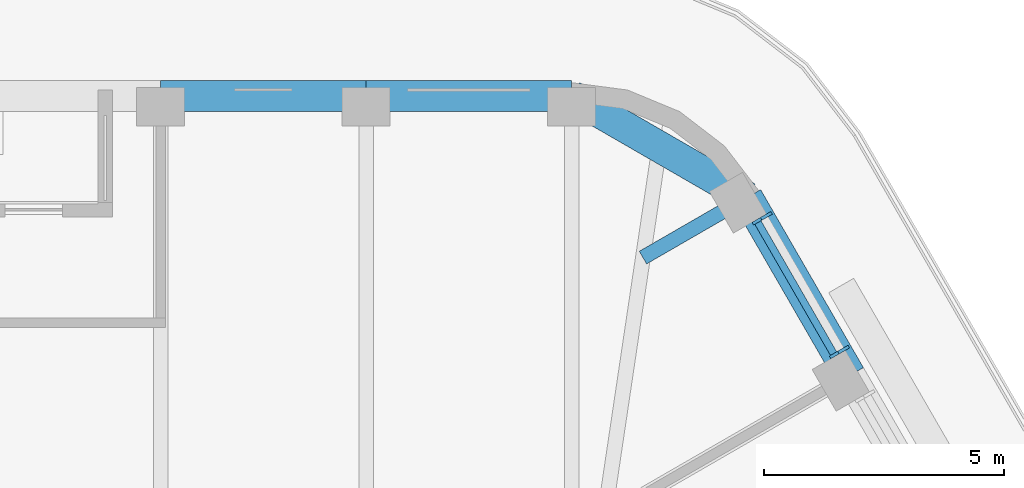
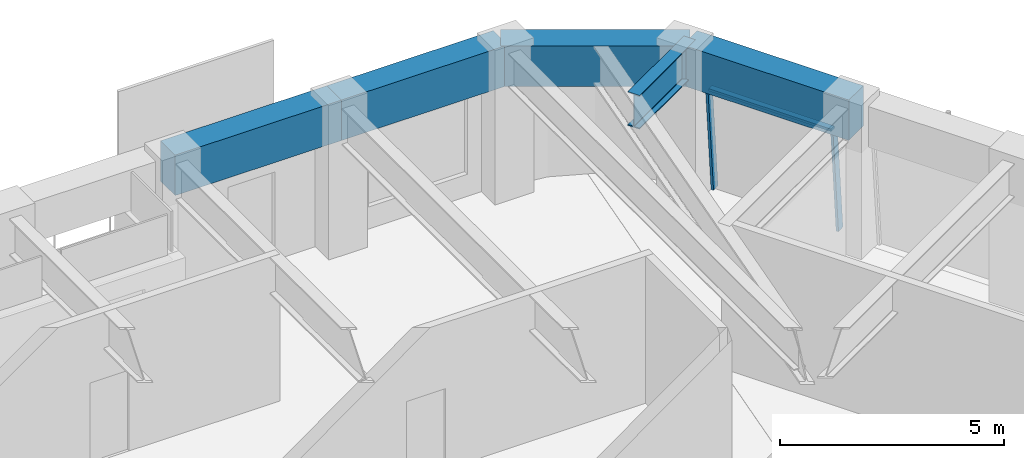
# One storey, part 11 of 19: 5 beams, 3 members, 1 element without a shape of its own.
"""IFC4 building model written with IfcOpenShell, lengths in metres."""

import ifcopenshell
import ifcopenshell.guid

model = None  # the IFC model being written
_history = None  # IfcOwnerHistory: only IFC2X3 demands one
_inside = {}  # id of a spatial element -> (the spatial element, [elements in it])
_under = {}  # id of a project, library or spatial element -> (it, [spatial elements below it])
_declared = {}  # id of a project -> (the project, [libraries it declares])
_typed = {}  # id of a type object -> (the type object, [elements of that type])
_made_of = {}  # id of a material, layer set ... -> (it, [elements and type objects made of it])


def new_model(schema):
    """Start an empty IFC model of exactly this schema.

    Asked for "IFC4X3", IfcOpenShell would pick the latest addendum, in which some entities
    have other attributes; the version numbers below select the first issue.
    IFC2X3 requires an IfcOwnerHistory on every rooted entity: one is made here for all.
    """
    global model, _history
    if schema == "IFC4X3":
        model = ifcopenshell.file(schema_version=(4, 3, 0, 0))
    else:
        model = ifcopenshell.file(schema=schema)
    _inside.clear()
    _under.clear()
    _declared.clear()
    _typed.clear()
    _made_of.clear()
    _history = None
    if model.schema == "IFC2X3":
        org = make("IfcOrganization", Name="unknown")
        user = make(
            "IfcPersonAndOrganization",
            ThePerson=make("IfcPerson", FamilyName="unknown"),
            TheOrganization=org,
        )
        app = make(
            "IfcApplication",
            ApplicationDeveloper=org,
            Version="unknown",
            ApplicationFullName="unknown",
            ApplicationIdentifier="unknown",
        )
        _history = make(
            "IfcOwnerHistory",
            OwningUser=user,
            OwningApplication=app,
            ChangeAction="ADDED",
            CreationDate=0,
        )
    return model


def make(cls, **values):
    """One entity of the class cls with the attributes given. An attribute that is None is left unset."""
    return model.create_entity(
        cls, **{name: value for name, value in values.items() if value is not None}
    )


def rooted(cls, **values):
    """An entity with a GlobalId (a new one), such as an element, a storey or a relation."""
    return make(cls, GlobalId=ifcopenshell.guid.new(), OwnerHistory=_history, **values)


def si_unit(unit_type, name, prefix=None):
    """IfcSIUnit, for example si_unit("LENGTHUNIT", "METRE", prefix="MILLI")."""
    return make("IfcSIUnit", UnitType=unit_type, Prefix=prefix, Name=name)


def assignment(units):
    """IfcUnitAssignment: the units of a project."""
    return None if units is None else make("IfcUnitAssignment", Units=units)


def point(xyz):
    """IfcCartesianPoint."""
    return None if xyz is None else make("IfcCartesianPoint", Coordinates=xyz)


def direction(xyz):
    """IfcDirection."""
    return None if xyz is None else make("IfcDirection", DirectionRatios=xyz)


def frame(location, z_axis=None, x_axis=None):
    """IfcAxis2Placement3D, a coordinate frame: its origin and axes. An axis left out is left unset."""
    return make(
        "IfcAxis2Placement3D",
        Location=point(location),
        Axis=direction(z_axis),
        RefDirection=direction(x_axis),
    )


def frame_2d(location, x_axis=None):
    """IfcAxis2Placement2D, a coordinate frame in the plane: its origin and x axis."""
    return make(
        "IfcAxis2Placement2D", Location=point(location), RefDirection=direction(x_axis)
    )


def origin():
    """The frame at (0, 0, 0) with its axes left unset."""
    return frame((0.0, 0.0, 0.0))


def origin_2d():
    """The frame at (0, 0) in the plane with its x axis left unset."""
    return frame_2d((0.0, 0.0))


def place(relative_to, where):
    """IfcLocalPlacement: puts the frame where relative to a parent placement (None: the world)."""
    return make(
        "IfcLocalPlacement", PlacementRelTo=relative_to, RelativePlacement=where
    )


def context(
    kind, dimensions, precision=None, world=None, true_north=None, identifier=None
):
    """IfcGeometricRepresentationContext, for example the 3D "Model" context."""
    return make(
        "IfcGeometricRepresentationContext",
        ContextIdentifier=identifier,
        ContextType=kind,
        CoordinateSpaceDimension=dimensions,
        Precision=precision,
        WorldCoordinateSystem=world,
        TrueNorth=true_north,
    )


def subcontext(parent, identifier, kind, view, scale=None):
    """IfcGeometricRepresentationSubContext, for example "Body" below "Model"."""
    return make(
        "IfcGeometricRepresentationSubContext",
        ContextIdentifier=identifier,
        ContextType=kind,
        ParentContext=parent,
        TargetScale=scale,
        TargetView=view,
    )


def project(units=None, contexts=None):
    """IfcProject with its units and contexts."""
    return rooted(
        "IfcProject",
        Name="project",
        RepresentationContexts=contexts,
        UnitsInContext=assignment(units),
    )


def spatial(cls, under=None, at=None, **own):
    """A site, building, storey or space (cls), placed at a placement, below another one or the project."""
    s = rooted(cls, ObjectPlacement=at, **own)
    if under is not None:
        _under.setdefault(under.id(), (under, []))[1].append(s)
    return s


def profile(cls, at=None, kind="AREA", **sizes):
    """A parametric profile (cls). Its sizes go by their IFC names, for example OverallWidth=200.0."""
    return make(cls, ProfileType=kind, Position=at, **sizes)


def rectangle(**sizes):
    """IfcRectangleProfileDef."""
    return profile("IfcRectangleProfileDef", **sizes)


def i_section(**sizes):
    """IfcIShapeProfileDef."""
    return profile("IfcIShapeProfileDef", **sizes)


def extrude(swept, where, along, depth):
    """IfcExtrudedAreaSolid: the profile swept, set in the frame where, extruded along a direction by depth."""
    return make(
        "IfcExtrudedAreaSolid",
        SweptArea=swept,
        Position=where,
        ExtrudedDirection=direction(along),
        Depth=depth,
    )


def shape(context_of_items, identifier, shape_type, items):
    """IfcShapeRepresentation: the items that make up one representation, for example the "Body"."""
    return make(
        "IfcShapeRepresentation",
        ContextOfItems=context_of_items,
        RepresentationIdentifier=identifier,
        RepresentationType=shape_type,
        Items=items,
    )


def material(Name=None, Category=None):
    """IfcMaterial."""
    return make("IfcMaterial", Name=Name, Category=Category)


def material_profile(
    of_material, cross_section, Name=None, Category=None, Priority=None
):
    """IfcMaterialProfile: a cross section and its material."""
    return make(
        "IfcMaterialProfile",
        Name=Name,
        Material=of_material,
        Profile=cross_section,
        Priority=Priority,
        Category=Category,
    )


def profile_set(profiles, Name=None, composite=None):
    """IfcMaterialProfileSet."""
    return make(
        "IfcMaterialProfileSet",
        Name=Name,
        MaterialProfiles=profiles,
        CompositeProfile=composite,
    )


def made_of(thing, what):
    """Note that an element or type object is made of a material, layer set ...; save() writes the relation."""
    if what is not None:
        _made_of.setdefault(what.id(), (what, []))[1].append(thing)
    return thing


def type_object(cls, material=None, **own):
    """A type object (cls), such as IfcWallType, which elements share."""
    return made_of(rooted(cls, **own), material)


def element(
    cls,
    number,
    at=None,
    inside=None,
    cuts=None,
    type_object=None,
    material=None,
    context=None,
    identifier="Body",
    shape_type=None,
    held_by="IfcProductDefinitionShape",
    body=None,
    shapes=None,
    **own,
):
    """One element of the class cls, such as IfcWall. Its Tag is "e" and its number.

    at: its placement. inside: the storey or other place that contains it. cuts: it is an
    opening in that element (IfcRelVoidsElement). A single representation is given by context,
    identifier, shape_type and body (its items); several are given by shapes. held_by: the class
    of the entity that holds the representations. save() writes the other relations.
    """
    e = rooted(cls, Tag="e%d" % number, ObjectPlacement=at, **own)
    if body is not None:
        shapes = [shape(context, identifier, shape_type, body)]
    if shapes is not None:
        e.Representation = make(held_by, Representations=shapes)
    if inside is not None:
        _inside.setdefault(inside.id(), (inside, []))[1].append(e)
    if cuts is not None:
        rooted(
            "IfcRelVoidsElement", RelatingBuildingElement=cuts, RelatedOpeningElement=e
        )
    if type_object is not None:
        _typed.setdefault(type_object.id(), (type_object, []))[1].append(e)
    return made_of(e, material)


def aggregate(whole, parts):
    """IfcRelAggregates: a whole, such as a stair, and the parts it consists of."""
    return rooted("IfcRelAggregates", RelatingObject=whole, RelatedObjects=parts)


def save(model, path):
    """Write the relations noted so far, then the file.

    IfcRelAggregates (storeys below a building ...), IfcRelContainedInSpatialStructure (elements
    in a storey), IfcRelDefinesByType, IfcRelAssociatesMaterial and IfcRelDeclares: one each for
    every whole, place, type object, material and project.
    """
    for whole, parts in _under.values():
        aggregate(whole, parts)
    for where, things in _inside.values():
        rooted(
            "IfcRelContainedInSpatialStructure",
            RelatedElements=things,
            RelatingStructure=where,
        )
    for kind, things in _typed.values():
        rooted("IfcRelDefinesByType", RelatedObjects=things, RelatingType=kind)
    for what, things in _made_of.values():
        rooted("IfcRelAssociatesMaterial", RelatedObjects=things, RelatingMaterial=what)
    for by, libraries in _declared.values():
        rooted("IfcRelDeclares", RelatingContext=by, RelatedDefinitions=libraries)
    model.write(path)


model = new_model("IFC4")

# Units and contexts
model_context = context("Model", 3, precision=1e-05, world=origin(), true_north=direction((0.0, 1.0)))
body_context = subcontext(model_context, "Body", "Model", "MODEL_VIEW")
ifc_project = project(units=[si_unit("LENGTHUNIT", "METRE"), si_unit("AREAUNIT", "SQUARE_METRE"), si_unit("VOLUMEUNIT", "CUBIC_METRE"), si_unit("PLANEANGLEUNIT", "RADIAN"), si_unit("MASSUNIT", "GRAM", prefix="KILO")], contexts=[model_context])

# Site, building, storey
site_placement = place(None, origin())
site = spatial("IfcSite", under=ifc_project, at=site_placement, CompositionType="ELEMENT")
building_placement = place(site_placement, origin())
building = spatial("IfcBuilding", under=site, at=building_placement, Name="Tarfa Lantern Tower", CompositionType="ELEMENT")
storey_placement = place(building_placement, frame((0.0, 0.0, 349.300048828125)))
storey = spatial("IfcBuildingStorey", under=building, at=storey_placement, Name="L79", CompositionType="ELEMENT", Elevation=349.300048828125)

# Curtain wall, members
ifc_material_1 = material(Name="Aluminium framed curtain wall", Category="aluminium")
curtain_wall_type = type_object("IfcCurtainWallType", Name="CW4 CANTED GLAZING EXECUTIVE ZONE 2900", PredefinedType="USERDEFINED", material=ifc_material_1)
curtain_wall_placement = place(storey_placement, origin())
curtain_wall = element("IfcCurtainWall", 1, at=curtain_wall_placement, inside=storey, type_object=curtain_wall_type, Name="CW4 NE L79", ObjectType="CURTAIN WALL", PredefinedType="USERDEFINED")
ifc_material_2 = material(Name="Aluminium mullion", Category="aluminium")
ifc_material_profile_1 = material_profile(ifc_material_2, rectangle(XDim=0.06494140625, YDim=0.199951171875, at=origin_2d()), Name="AL MULLION 65x200")
ifc_profile_set_1 = profile_set([ifc_material_profile_1], Name="Aluminium mullion")
member_type_1 = type_object("IfcMemberType", Name="CWM1 MULLION 65x200", PredefinedType="MULLION", material=ifc_profile_set_1)
member_1_placement = place(storey_placement, frame((18.53125, 21.202880859375, 0.0), z_axis=(-0.074399820079, -0.042945555672, 0.996303340364), x_axis=(0.499919672301, -0.866071776036, 0.0)))
member_1 = element("IfcMember", 2, at=member_1_placement, type_object=member_type_1, Name="CW4 mullion 1", PredefinedType="MULLION", context=body_context, shape_type="SweptSolid", body=[
    extrude(rectangle(XDim=0.06494140625, YDim=0.199951171875, at=origin_2d()), origin(), (0.0, 0.0, 1.0), 2.91064453125),
])
member_2_placement = place(storey_placement, frame((16.9228515625, 23.98876953125, 0.0), z_axis=(-0.074399820079, -0.042945555672, 0.996303340364), x_axis=(0.499919672301, -0.866071776036, 0.0)))
member_2 = element("IfcMember", 3, at=member_2_placement, type_object=member_type_1, Name="CW4 mullion 2", PredefinedType="MULLION", context=body_context, shape_type="SweptSolid", body=[
    extrude(rectangle(XDim=0.06494140625, YDim=0.199951171875, at=origin_2d()), origin(), (0.0, 0.0, 1.0), 2.91064453125),
])
ifc_material_3 = material(Name="Aluminium transom", Category="aluminium")
ifc_material_profile_2 = material_profile(ifc_material_3, rectangle(XDim=0.14990234375, YDim=0.06494140625, at=origin_2d()), Name="AL TRANSOM 150x65")
ifc_profile_set_2 = profile_set([ifc_material_profile_2], Name="Aluminium transom")
member_type_2 = type_object("IfcMemberType", Name="CWT1 TRANSOM 150x65", PredefinedType="USERDEFINED", material=ifc_profile_set_2)
member_3_placement = place(storey_placement, frame((18.301025390625, 21.107421875, 2.867431640625), z_axis=(-0.500037562771, 0.866003715822, 0.0), x_axis=(-0.866003715822, -0.500037562771, 0.0)))
member_3 = element("IfcMember", 4, at=member_3_placement, type_object=member_type_2, Name="CW4 transom 1.2", ObjectType="TRANSOM", PredefinedType="USERDEFINED", context=body_context, shape_type="SweptSolid", body=[
    extrude(rectangle(XDim=0.14990234375, YDim=0.06494140625, at=origin_2d()), origin(), (0.0, 0.0, 1.0), 3.152099609375),
])
aggregate(curtain_wall, [member_1, member_2, member_3])

# Beams
ifc_material_4 = material(Name="Concrete C80/95", Category="concrete")
ifc_material_profile_3 = material_profile(ifc_material_4, rectangle(XDim=0.64990234375, YDim=1.10009765625, at=origin_2d()), Name="RC 650x1100")
ifc_profile_set_3 = profile_set([ifc_material_profile_3], Name="Concrete C80/95")
beam_type_1 = type_object("IfcBeamType", Name="EB4 RC 650x1100", PredefinedType="SPANDREL", material=ifc_profile_set_3)
beam_1_placement = place(storey_placement, frame((18.6416015625, 20.651611328125, 3.449951171875), z_axis=(-0.499959351497, 0.866048870937, 0.0), x_axis=(-0.866048870937, -0.499959351497, 0.0)))
element("IfcBeam", 5, at=beam_1_placement, inside=storey, type_object=beam_type_1, Name="Edge beam NE5", PredefinedType="SPANDREL", context=body_context, shape_type="SweptSolid", body=[
    extrude(rectangle(XDim=0.64990234375, YDim=1.10009765625, at=origin_2d()), origin(), (0.0, 0.0, 1.0), 4.281982421875),
])
beam_2_placement = place(storey_placement, frame((16.500732421875, 24.360107421875, 3.449951171875), z_axis=(-0.866048788483, 0.499959494327, 0.0), x_axis=(-0.499959494327, -0.866048788483, 0.0)))
element("IfcBeam", 6, at=beam_2_placement, inside=storey, type_object=beam_type_1, Name="Edge beam NE6", PredefinedType="SPANDREL", context=body_context, shape_type="SweptSolid", body=[
    extrude(rectangle(XDim=0.64990234375, YDim=1.10009765625, at=origin_2d()), origin(), (0.0, 0.0, 1.0), 4.219970703125),
])
for number, where, z_axis, x_axis, name in (
    (7, (12.845947265625, 26.469970703125, 3.449951171875), (-1.0, 0.0, 0.0), (0.0, -1.0, 0.0), "Edge beam N0"),
    (8, (8.56396484375, 26.469970703125, 3.449951171875), (-1.0, 0.0, 0.0), (0.0, -1.0, 0.0), "Edge beam N1"),
):
    element("IfcBeam", number, at=place(storey_placement, frame(where, z_axis=z_axis, x_axis=x_axis)), inside=storey, type_object=beam_type_1, Name=name, PredefinedType="SPANDREL", context=body_context, shape_type="SweptSolid", body=[
        extrude(rectangle(XDim=0.64990234375, YDim=1.10009765625, at=origin_2d()), origin(), (0.0, 0.0, 1.0), 4.281982421875),
    ])
ifc_material_5 = material(Name="Steel S460M", Category="steel")
ifc_material_profile_4 = material_profile(ifc_material_5, i_section(OverallWidth=0.305419921875, OverallDepth=0.91845703125, WebThickness=0.017333984375, FlangeThickness=0.02783203125, FilletRadius=0.01904296875, at=origin_2d()), Name="UB914x305x253")
ifc_profile_set_4 = profile_set([ifc_material_profile_4], Name="Steel S460M")
beam_type_2 = type_object("IfcBeamType", Name="UB914x305x253", PredefinedType="BEAM", material=ifc_profile_set_4)
beam_3_placement = place(storey_placement, frame((16.500732421875, 24.360107421875, 3.540771484375), z_axis=(-0.865992557167, -0.500056887695, 0.0), x_axis=(0.500056887695, -0.865992557167, 0.0)))
element("IfcBeam", 9, at=beam_3_placement, inside=storey, type_object=beam_type_2, Name="Floor beam NE6", PredefinedType="BEAM", context=body_context, shape_type="SweptSolid", body=[
    extrude(i_section(OverallWidth=0.305419921875, OverallDepth=0.91845703125, WebThickness=0.017333984375, FlangeThickness=0.02783203125, FilletRadius=0.01904296875, at=origin_2d()), origin(), (0.0, 0.0, 1.0), 2.506591796875),
])

save(model, "model.ifc")
